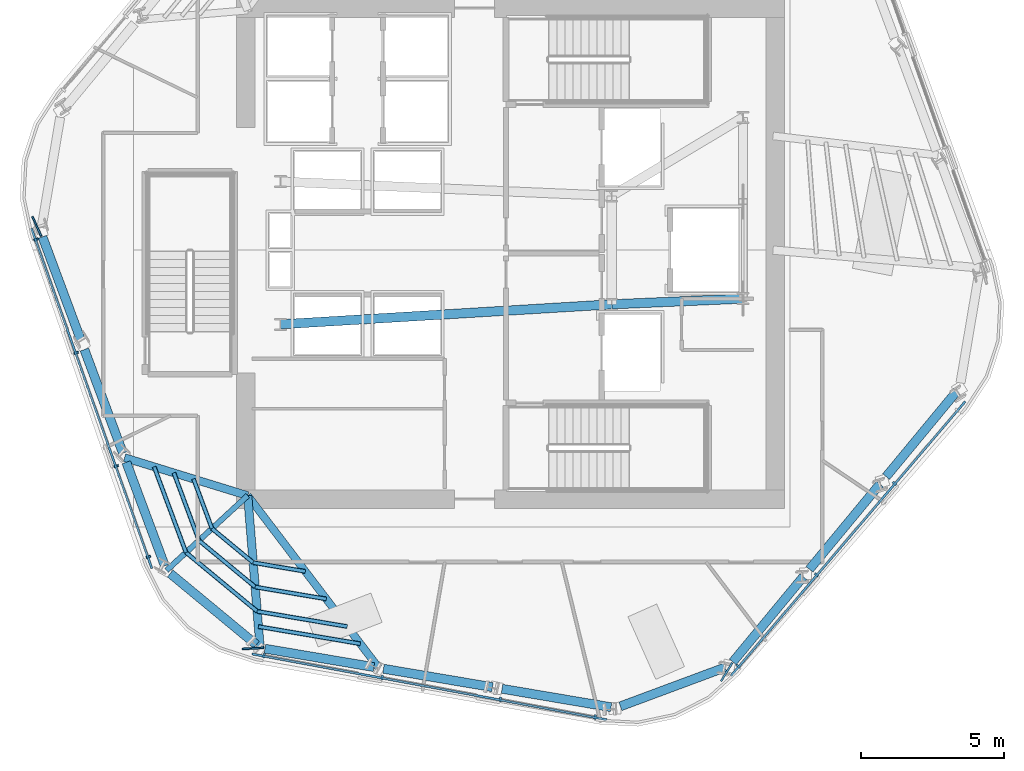
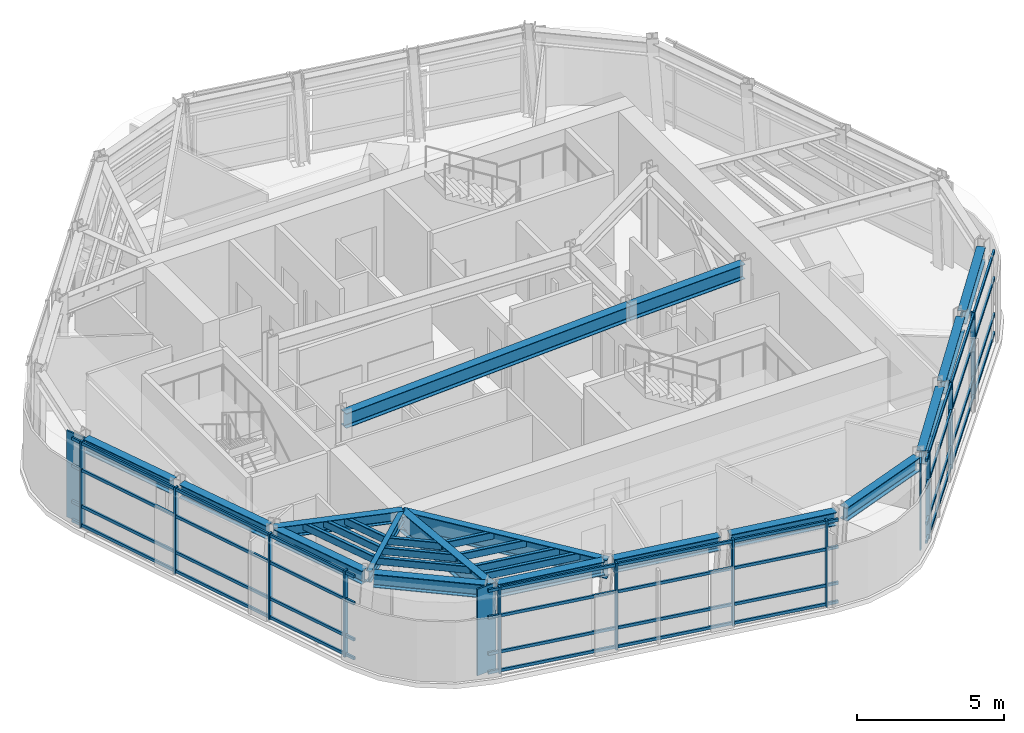
# One storey, part 2 of 12: 36 members, 17 beams, 3 elements without a shape of their own.
"""IFC4 building model written with IfcOpenShell, lengths in metres."""

from ifc_helpers import new_model, si_unit, direction, frame, origin, origin_2d, place, context, subcontext, project, spatial, rectangle, hollow_rectangle, i_section, extrude, material, layer, layer_set, material_profile, profile_set, type_object, element, aggregate, save


model = new_model("IFC4")

# Units and contexts
model_context = context("Model", 3, precision=1e-05, world=origin(), true_north=direction((0.0, 1.0)))
body_context = subcontext(model_context, "Body", "Model", "MODEL_VIEW")
ifc_project = project(units=[si_unit("LENGTHUNIT", "METRE"), si_unit("AREAUNIT", "SQUARE_METRE"), si_unit("VOLUMEUNIT", "CUBIC_METRE"), si_unit("PLANEANGLEUNIT", "RADIAN"), si_unit("MASSUNIT", "GRAM", prefix="KILO")], contexts=[model_context])

# Site, building, storey
site_placement = place(None, origin())
site = spatial("IfcSite", under=ifc_project, at=site_placement, CompositionType="ELEMENT")
building_placement = place(site_placement, origin())
building = spatial("IfcBuilding", under=site, at=building_placement, Name="Valkerne Bourse Tower", CompositionType="ELEMENT")
storey_placement = place(building_placement, frame((0.0, 0.0, 236.0)))
storey = spatial("IfcBuildingStorey", under=building, at=storey_placement, Name="L60", CompositionType="ELEMENT", Elevation=236.0)

# Beams
ifc_material_1 = material(Name="Steel ASTM A992", Category="steel")
ifc_material_profile_1 = material_profile(ifc_material_1, i_section(OverallWidth=0.1904296875, OverallDepth=0.457275390625, WebThickness=0.009033203125, FlangeThickness=0.014404296875, FilletRadius=0.01513671875, at=origin_2d()), Name="W18X50")
ifc_profile_set_1 = profile_set([ifc_material_profile_1], Name="Steel ASTM A992")
beam_type_1 = type_object("IfcBeamType", Name="BM-W18X50", PredefinedType="JOIST", material=ifc_profile_set_1)
beam_1_placement = place(storey_placement, frame((34.7568359375, 15.780517578125, 3.371337890625), z_axis=(0.735468911059, 0.677558470441, 0.0), x_axis=(-0.677558470441, 0.735468911059, 0.0)))
element("IfcBeam", 1, at=beam_1_placement, inside=storey, type_object=beam_type_1, Name="L60 Radial Composite Floor Beam 11", PredefinedType="JOIST", context=body_context, shape_type="SweptSolid", body=[
    extrude(i_section(OverallWidth=0.1904296875, OverallDepth=0.457275390625, WebThickness=0.009033203125, FlangeThickness=0.014404296875, FilletRadius=0.01513671875, at=origin_2d()), origin(), (0.0, 0.0, 1.0), 3.865966796875),
])
ifc_material_profile_2 = material_profile(ifc_material_1, i_section(OverallWidth=0.279296875, OverallDepth=0.46240234375, WebThickness=0.0107421875, FlangeThickness=0.017333984375, FilletRadius=0.017822265625, at=origin_2d()), Name="W18X76")
ifc_profile_set_2 = profile_set([ifc_material_profile_2], Name="Steel ASTM A992")
beam_type_2 = type_object("IfcBeamType", Name="BM-W18X76", PredefinedType="BEAM", material=ifc_profile_set_2)
beam_2_placement = place(storey_placement, frame((33.28857421875, 19.728271484375, 3.368896484375), z_axis=(0.955670128356, -0.294439477258, 0.0), x_axis=(0.294439477258, 0.955670128356, 0.0)))
element("IfcBeam", 2, at=beam_2_placement, inside=storey, type_object=beam_type_2, Name="L60 Radial Composite Floor Beam 10", PredefinedType="BEAM", context=body_context, shape_type="SweptSolid", body=[
    extrude(i_section(OverallWidth=0.279296875, OverallDepth=0.46240234375, WebThickness=0.0107421875, FlangeThickness=0.017333984375, FilletRadius=0.017822265625, at=origin_2d()), origin(), (0.0, 0.0, 1.0), 4.511474609375),
])
ifc_material_profile_3 = material_profile(ifc_material_1, i_section(OverallWidth=0.31494140625, OverallDepth=0.5537109375, WebThickness=0.0166015625, FlangeThickness=0.026123046875, FilletRadius=0.020263671875, at=origin_2d()), Name="W21X132")
ifc_profile_set_3 = profile_set([ifc_material_profile_3], Name="Steel ASTM A992")
beam_type_3 = type_object("IfcBeamType", Name="BM-W21X132", PredefinedType="BEAM", material=ifc_profile_set_3)
beam_3_placement = place(storey_placement, frame((30.41162109375, 27.464599609375, 3.322998046875), z_axis=(0.34850314006, -0.93730761299, 0.0), x_axis=(0.93730761299, 0.34850314006, 0.0)))
element("IfcBeam", 3, at=beam_3_placement, inside=storey, type_object=beam_type_3, Name="L60 Hexagonal Spandrel Ring Beam 08", PredefinedType="BEAM", context=body_context, shape_type="SweptSolid", body=[
    extrude(i_section(OverallWidth=0.31494140625, OverallDepth=0.5537109375, WebThickness=0.0166015625, FlangeThickness=0.026123046875, FilletRadius=0.020263671875, at=origin_2d()), origin(), (0.0, 0.0, 1.0), 3.871826171875),
])
beam_4_placement = place(storey_placement, frame((31.879638671875, 23.516845703125, 3.322998046875), z_axis=(0.348537936296, -0.937294674562, 0.0), x_axis=(0.937294674562, 0.348537936296, 0.0)))
element("IfcBeam", 4, at=beam_4_placement, inside=storey, type_object=beam_type_3, Name="L60 Hexagonal Spandrel Ring Beam 09", PredefinedType="BEAM", context=body_context, shape_type="SweptSolid", body=[
    extrude(i_section(OverallWidth=0.31494140625, OverallDepth=0.5537109375, WebThickness=0.0166015625, FlangeThickness=0.026123046875, FilletRadius=0.020263671875, at=origin_2d()), origin(), (0.0, 0.0, 1.0), 3.872314453125),
])
beam_5_placement = place(storey_placement, frame((33.347900390625, 19.56884765625, 3.322998046875), z_axis=(0.348558534631, -0.937287014706, 0.0), x_axis=(0.937287014706, 0.348558534631, 0.0)))
element("IfcBeam", 5, at=beam_5_placement, inside=storey, type_object=beam_type_3, Name="L60 Hexagonal Spandrel Ring Beam 10", PredefinedType="BEAM", context=body_context, shape_type="SweptSolid", body=[
    extrude(i_section(OverallWidth=0.31494140625, OverallDepth=0.5537109375, WebThickness=0.0166015625, FlangeThickness=0.026123046875, FilletRadius=0.020263671875, at=origin_2d()), origin(), (0.0, 0.0, 1.0), 3.8720703125),
])
beam_6_placement = place(storey_placement, frame((34.8876953125, 15.672119140625, 3.322998046875), z_axis=(0.770495687268, -0.637445210117, 0.0), x_axis=(0.637445210117, 0.770495687268, 0.0)))
element("IfcBeam", 6, at=beam_6_placement, inside=storey, type_object=beam_type_3, Name="L60 Hexagonal Spandrel Ring Beam 11", PredefinedType="BEAM", context=body_context, shape_type="SweptSolid", body=[
    extrude(i_section(OverallWidth=0.31494140625, OverallDepth=0.5537109375, WebThickness=0.0166015625, FlangeThickness=0.026123046875, FilletRadius=0.020263671875, at=origin_2d()), origin(), (0.0, 0.0, 1.0), 3.915771484375),
])
for number, where, z_axis, x_axis, name in (
    (7, (38.203369140625, 13.039306640625, 3.322998046875), (0.985995723124, -0.166770602869, 0.0), (0.166770602869, 0.985995723124, 0.0), "L60 Hexagonal Spandrel Ring Beam 12"),
    (8, (42.3564453125, 12.3369140625, 3.322998046875), (0.985995723124, -0.166770602869, 0.0), (0.166770602869, 0.985995723124, 0.0), "L60 Hexagonal Spandrel Ring Beam 13"),
):
    element("IfcBeam", number, at=place(storey_placement, frame(where, z_axis=z_axis, x_axis=x_axis)), inside=storey, type_object=beam_type_3, Name=name, PredefinedType="BEAM", context=body_context, shape_type="SweptSolid", body=[
        extrude(i_section(OverallWidth=0.31494140625, OverallDepth=0.5537109375, WebThickness=0.0166015625, FlangeThickness=0.026123046875, FilletRadius=0.020263671875, at=origin_2d()), origin(), (0.0, 0.0, 1.0), 3.8720703125),
    ])
beam_7_placement = place(storey_placement, frame((46.509521484375, 11.634521484375, 3.322998046875), z_axis=(0.985993969351, -0.166780971346, 0.0), x_axis=(0.166780971346, 0.985993969351, 0.0)))
element("IfcBeam", 9, at=beam_7_placement, inside=storey, type_object=beam_type_3, Name="L60 Hexagonal Spandrel Ring Beam 14", PredefinedType="BEAM", context=body_context, shape_type="SweptSolid", body=[
    extrude(i_section(OverallWidth=0.31494140625, OverallDepth=0.5537109375, WebThickness=0.0166015625, FlangeThickness=0.026123046875, FilletRadius=0.020263671875, at=origin_2d()), origin(), (0.0, 0.0, 1.0), 3.871826171875),
])
beam_8_placement = place(storey_placement, frame((50.654052734375, 11.019775390625, 3.322998046875), z_axis=(0.937296707827, 0.348532468353, 0.0), x_axis=(-0.348532468353, 0.937296707827, 0.0)))
element("IfcBeam", 10, at=beam_8_placement, inside=storey, type_object=beam_type_3, Name="L60 Hexagonal Spandrel Ring Beam 15", PredefinedType="BEAM", context=body_context, shape_type="SweptSolid", body=[
    extrude(i_section(OverallWidth=0.31494140625, OverallDepth=0.5537109375, WebThickness=0.0166015625, FlangeThickness=0.026123046875, FilletRadius=0.020263671875, at=origin_2d()), origin(), (0.0, 0.0, 1.0), 3.915771484375),
])
for number, where, z_axis, x_axis, name in (
    (11, (54.592041015625, 12.574951171875, 3.322998046875), (0.637414137655, 0.77052139303, 0.0), (-0.77052139303, 0.637414137655, 0.0), "L60 Hexagonal Spandrel Ring Beam 16"),
    (12, (57.27685546875, 15.8203125, 3.322998046875), (0.637414137655, 0.77052139303, 0.0), (-0.77052139303, 0.637414137655, 0.0), "L60 Hexagonal Spandrel Ring Beam 17"),
    (13, (59.961669921875, 19.065673828125, 3.322998046875), (0.637414137655, 0.77052139303, 0.0), (-0.77052139303, 0.637414137655, 0.0), "L60 Hexagonal Spandrel Ring Beam 18"),
):
    element("IfcBeam", number, at=place(storey_placement, frame(where, z_axis=z_axis, x_axis=x_axis)), inside=storey, type_object=beam_type_3, Name=name, PredefinedType="BEAM", context=body_context, shape_type="SweptSolid", body=[
        extrude(i_section(OverallWidth=0.31494140625, OverallDepth=0.5537109375, WebThickness=0.0166015625, FlangeThickness=0.026123046875, FilletRadius=0.020263671875, at=origin_2d()), origin(), (0.0, 0.0, 1.0), 3.871826171875),
    ])
ifc_material_profile_4 = material_profile(ifc_material_1, i_section(OverallWidth=0.3251953125, OverallDepth=0.612060546875, WebThickness=0.0126953125, FlangeThickness=0.01904296875, FilletRadius=0.020263671875, at=origin_2d()), Name="W24X104")
ifc_profile_set_4 = profile_set([ifc_material_profile_4], Name="Steel ASTM A992")
beam_type_4 = type_object("IfcBeamType", Name="BM-W24X104", PredefinedType="BEAM", material=ifc_profile_set_4)
beam_9_placement = place(storey_placement, frame((50.35009765625, 25.10009765625, 3.2939453125), z_axis=(0.999056558506, 0.043428019819, 0.0), x_axis=(-0.043428019819, 0.999056558506, 0.0)))
element("IfcBeam", 14, at=beam_9_placement, inside=storey, type_object=beam_type_4, Name="L60 Core Frame Girder CG-SE", PredefinedType="BEAM", context=body_context, shape_type="SweptSolid", body=[
    extrude(i_section(OverallWidth=0.3251953125, OverallDepth=0.612060546875, WebThickness=0.0126953125, FlangeThickness=0.01904296875, FilletRadius=0.020263671875, at=origin_2d()), origin(), (0.0, 0.0, 1.0), 4.604248046875),
])
beam_10_placement = place(storey_placement, frame((38.75, 24.39990234375, 3.2939453125), z_axis=(0.998183228389, 0.060251494276, 0.0), x_axis=(-0.060251494276, 0.998183228389, 0.0)))
element("IfcBeam", 15, at=beam_10_placement, inside=storey, type_object=beam_type_4, Name="L60 Core Frame Girder CG-SW", PredefinedType="BEAM", context=body_context, shape_type="SweptSolid", body=[
    extrude(i_section(OverallWidth=0.3251953125, OverallDepth=0.612060546875, WebThickness=0.0126953125, FlangeThickness=0.01904296875, FilletRadius=0.020263671875, at=origin_2d()), origin(), (0.0, 0.0, 1.0), 11.62109375),
])
ifc_material_profile_5 = material_profile(ifc_material_1, i_section(OverallWidth=0.26806640625, OverallDepth=0.76953125, WebThickness=0.015625, FlangeThickness=0.025390625, FilletRadius=0.025390625, at=origin_2d()), Name="W30X132")
ifc_profile_set_5 = profile_set([ifc_material_profile_5], Name="Steel ASTM A992")
beam_type_5 = type_object("IfcBeamType", Name="BM-W30X132", PredefinedType="BEAM", material=ifc_profile_set_5)
beam_11_placement = place(storey_placement, frame((42.188720703125, 12.365234375, 3.215087890625), z_axis=(-0.60527350187, 0.796017580166, 0.0), x_axis=(-0.796017580166, -0.60527350187, 0.0)))
element("IfcBeam", 16, at=beam_11_placement, inside=storey, type_object=beam_type_5, Name="L60 Radial Composite Floor Beam 13", PredefinedType="BEAM", context=body_context, shape_type="SweptSolid", body=[
    extrude(i_section(OverallWidth=0.26806640625, OverallDepth=0.76953125, WebThickness=0.015625, FlangeThickness=0.025390625, FilletRadius=0.025390625, at=origin_2d()), origin(), (0.0, 0.0, 1.0), 7.5810546875),
])
ifc_material_profile_6 = material_profile(ifc_material_1, i_section(OverallWidth=0.2919921875, OverallDepth=0.8583984375, WebThickness=0.01708984375, FlangeThickness=0.031005859375, FilletRadius=0.025390625, at=origin_2d()), Name="W33X169")
ifc_profile_set_6 = profile_set([ifc_material_profile_6], Name="Steel ASTM A992")
beam_type_6 = type_object("IfcBeamType", Name="BM-W33X169", PredefinedType="BEAM", material=ifc_profile_set_6)
beam_12_placement = place(storey_placement, frame((38.035888671875, 13.067626953125, 3.170654296875), z_axis=(-0.081455446921, 0.996676983865, 0.0), x_axis=(-0.996676983865, -0.081455446921, 0.0)))
element("IfcBeam", 17, at=beam_12_placement, inside=storey, type_object=beam_type_6, Name="L60 Radial Composite Floor Beam 12", PredefinedType="BEAM", context=body_context, shape_type="SweptSolid", body=[
    extrude(i_section(OverallWidth=0.2919921875, OverallDepth=0.8583984375, WebThickness=0.01708984375, FlangeThickness=0.031005859375, FilletRadius=0.025390625, at=origin_2d()), origin(), (0.0, 0.0, 1.0), 5.35009765625),
])

# Curtain wall, members
ifc_material_2 = material(Name="Aluminium AA 6063-T6", Category="aluminium")
ifc_layer = layer(ifc_material_2, 0.239990234375)
ifc_layer_set = layer_set([ifc_layer], Name="Aluminium AA 6063-T6")
curtain_wall_type = type_object("IfcCurtainWallType", Name="CW-04", PredefinedType="NOTDEFINED", material=ifc_layer_set)
curtain_wall_1_placement = place(storey_placement, origin())
curtain_wall_1 = element("IfcCurtainWall", 18, at=curtain_wall_1_placement, inside=storey, type_object=curtain_wall_type, Name="L60 Hexagonal Stick Curtain Wall Face 3", PredefinedType="NOTDEFINED")
ifc_material_profile_7 = material_profile(ifc_material_2, rectangle(XDim=0.074951171875, YDim=0.159912109375, at=origin_2d()), Name="CWM-75X160")
ifc_profile_set_7 = profile_set([ifc_material_profile_7], Name="Aluminium AA 6063-T6")
member_type_1 = type_object("IfcMemberType", Name="CW-MUL-160X75", PredefinedType="MULLION", material=ifc_profile_set_7)
member_1_placement = place(storey_placement, frame((30.18359375, 27.372802734375, 0.0), z_axis=(0.0, 0.0, 1.0), x_axis=(0.333808466695, -0.942640921859, 0.0)))
member_1 = element("IfcMember", 19, at=member_1_placement, type_object=member_type_1, Name="CW-L60-F3 Jamb Mullion 00A", PredefinedType="MULLION", context=body_context, shape_type="SweptSolid", body=[
    extrude(rectangle(XDim=0.074951171875, YDim=0.159912109375, at=origin_2d()), origin(), (0.0, 0.0, 1.0), 3.60009765625),
])
member_2_placement = place(storey_placement, frame((31.589599609375, 23.40234375, 0.0), z_axis=(0.0, 0.0, 1.0), x_axis=(0.333808466695, -0.942640921859, 0.0)))
member_2 = element("IfcMember", 20, at=member_2_placement, type_object=member_type_1, Name="CW-L60-F3 Jamb Mullion 01A", PredefinedType="MULLION", context=body_context, shape_type="SweptSolid", body=[
    extrude(rectangle(XDim=0.074951171875, YDim=0.159912109375, at=origin_2d()), origin(), (0.0, 0.0, 1.0), 3.60009765625),
])
member_3_placement = place(storey_placement, frame((32.99560546875, 19.431884765625, 0.0), z_axis=(0.0, 0.0, 1.0), x_axis=(0.33380099624, -0.942643567267, 0.0)))
member_3 = element("IfcMember", 21, at=member_3_placement, type_object=member_type_1, Name="CW-L60-F3 Jamb Mullion 02A", PredefinedType="MULLION", context=body_context, shape_type="SweptSolid", body=[
    extrude(rectangle(XDim=0.074951171875, YDim=0.159912109375, at=origin_2d()), origin(), (0.0, 0.0, 1.0), 3.60009765625),
])
member_4_placement = place(storey_placement, frame((34.121337890625, 16.25341796875, 0.0), z_axis=(0.0, 0.0, 1.0), x_axis=(0.33380099624, -0.942643567267, 0.0)))
member_4 = element("IfcMember", 22, at=member_4_placement, type_object=member_type_1, Name="CW-L60-F3 Jamb Mullion 02B", PredefinedType="MULLION", context=body_context, shape_type="SweptSolid", body=[
    extrude(rectangle(XDim=0.074951171875, YDim=0.159912109375, at=origin_2d()), origin(), (0.0, 0.0, 1.0), 3.60009765625),
])

curtain_wall_2_placement = place(storey_placement, origin())
curtain_wall_2 = element("IfcCurtainWall", 23, at=curtain_wall_2_placement, inside=storey, type_object=curtain_wall_type, Name="L60 Hexagonal Stick Curtain Wall Face 4", PredefinedType="NOTDEFINED")
member_5_placement = place(storey_placement, frame((38.1689453125, 12.79638671875, 0.0), z_axis=(0.0, 0.0, 1.0), x_axis=(0.983254127122, -0.182239736328, 0.0)))
member_5 = element("IfcMember", 24, at=member_5_placement, type_object=member_type_1, Name="CW-L60-F4 Jamb Mullion 00A", PredefinedType="MULLION", context=body_context, shape_type="SweptSolid", body=[
    extrude(rectangle(XDim=0.074951171875, YDim=0.159912109375, at=origin_2d()), origin(), (0.0, 0.0, 1.0), 3.60009765625),
])
member_6_placement = place(storey_placement, frame((42.310546875, 12.02880859375, 0.0), z_axis=(0.0, 0.0, 1.0), x_axis=(0.983258381066, -0.182216783154, 0.0)))
member_6 = element("IfcMember", 25, at=member_6_placement, type_object=member_type_1, Name="CW-L60-F4 Jamb Mullion 01A", PredefinedType="MULLION", context=body_context, shape_type="SweptSolid", body=[
    extrude(rectangle(XDim=0.074951171875, YDim=0.159912109375, at=origin_2d()), origin(), (0.0, 0.0, 1.0), 3.60009765625),
])
member_7_placement = place(storey_placement, frame((46.451904296875, 11.26123046875, 0.0), z_axis=(0.0, 0.0, 1.0), x_axis=(0.983254127122, -0.182239736328, 0.0)))
member_7 = element("IfcMember", 26, at=member_7_placement, type_object=member_type_1, Name="CW-L60-F4 Jamb Mullion 02A", PredefinedType="MULLION", context=body_context, shape_type="SweptSolid", body=[
    extrude(rectangle(XDim=0.074951171875, YDim=0.159912109375, at=origin_2d()), origin(), (0.0, 0.0, 1.0), 3.60009765625),
])
member_8_placement = place(storey_placement, frame((49.767578125, 10.646484375, 0.0), z_axis=(0.0, 0.0, 1.0), x_axis=(0.983254127122, -0.182239736328, 0.0)))
member_8 = element("IfcMember", 27, at=member_8_placement, type_object=member_type_1, Name="CW-L60-F4 Jamb Mullion 02B", PredefinedType="MULLION", context=body_context, shape_type="SweptSolid", body=[
    extrude(rectangle(XDim=0.074951171875, YDim=0.159912109375, at=origin_2d()), origin(), (0.0, 0.0, 1.0), 3.60009765625),
])

curtain_wall_3_placement = place(storey_placement, origin())
curtain_wall_3 = element("IfcCurtainWall", 28, at=curtain_wall_3_placement, inside=storey, type_object=curtain_wall_type, Name="L60 Hexagonal Stick Curtain Wall Face 5", PredefinedType="NOTDEFINED")
member_9_placement = place(storey_placement, frame((54.785400390625, 12.423583984375, 0.0), z_axis=(0.0, 0.0, 1.0), x_axis=(0.649454964486, 0.760400058591, 0.0)))
member_9 = element("IfcMember", 29, at=member_9_placement, type_object=member_type_1, Name="CW-L60-F5 Jamb Mullion 00A", PredefinedType="MULLION", context=body_context, shape_type="SweptSolid", body=[
    extrude(rectangle(XDim=0.074951171875, YDim=0.159912109375, at=origin_2d()), origin(), (0.0, 0.0, 1.0), 3.60009765625),
])
member_10_placement = place(storey_placement, frame((57.520751953125, 15.62646484375, 0.0), z_axis=(0.0, 0.0, 1.0), x_axis=(0.649454964486, 0.760400058591, 0.0)))
member_10 = element("IfcMember", 30, at=member_10_placement, type_object=member_type_1, Name="CW-L60-F5 Jamb Mullion 01A", PredefinedType="MULLION", context=body_context, shape_type="SweptSolid", body=[
    extrude(rectangle(XDim=0.074951171875, YDim=0.159912109375, at=origin_2d()), origin(), (0.0, 0.0, 1.0), 3.60009765625),
])
member_11_placement = place(storey_placement, frame((60.25634765625, 18.8291015625, 0.0), z_axis=(0.0, 0.0, 1.0), x_axis=(0.649441236502, 0.760411783398, 0.0)))
member_11 = element("IfcMember", 31, at=member_11_placement, type_object=member_type_1, Name="CW-L60-F5 Jamb Mullion 02A", PredefinedType="MULLION", context=body_context, shape_type="SweptSolid", body=[
    extrude(rectangle(XDim=0.074951171875, YDim=0.159912109375, at=origin_2d()), origin(), (0.0, 0.0, 1.0), 3.60009765625),
])

# Member
ifc_material_profile_8 = material_profile(ifc_material_2, rectangle(XDim=0.074951171875, YDim=0.1201171875, at=origin_2d()), Name="CWT-75X120")
ifc_profile_set_8 = profile_set([ifc_material_profile_8], Name="Aluminium AA 6063-T6")
member_type_2 = type_object("IfcMemberType", Name="CW-TRN-120X75", PredefinedType="USERDEFINED", material=ifc_profile_set_8)
member_12_placement = place(storey_placement, frame((30.024658203125, 27.761962890625, 0.1201171875), z_axis=(0.333805296347, -0.942642044538, 0.0), x_axis=(0.942642044538, 0.333805296347, 0.0)))
member_12 = element("IfcMember", 32, at=member_12_placement, type_object=member_type_2, Name="CW-L60-F3 Continuous Face Transom 1", ObjectType="TRANSOM", PredefinedType="USERDEFINED", context=body_context, shape_type="SweptSolid", body=[
    extrude(rectangle(XDim=0.074951171875, YDim=0.1201171875, at=origin_2d()), origin(), (0.0, 0.0, 1.0), 12.63623046875),
])

member_13_placement = place(storey_placement, frame((30.024658203125, 27.761962890625, 0.89990234375), z_axis=(0.333805296347, -0.942642044538, 0.0), x_axis=(0.942642044538, 0.333805296347, 0.0)))
member_13 = element("IfcMember", 33, at=member_13_placement, type_object=member_type_2, Name="CW-L60-F3 Continuous Face Transom 2", ObjectType="TRANSOM", PredefinedType="USERDEFINED", context=body_context, shape_type="SweptSolid", body=[
    extrude(rectangle(XDim=0.074951171875, YDim=0.1201171875, at=origin_2d()), origin(), (0.0, 0.0, 1.0), 12.63623046875),
])

member_14_placement = place(storey_placement, frame((30.024658203125, 27.761962890625, 2.39990234375), z_axis=(0.333805296347, -0.942642044538, 0.0), x_axis=(0.942642044538, 0.333805296347, 0.0)))
member_14 = element("IfcMember", 34, at=member_14_placement, type_object=member_type_2, Name="CW-L60-F3 Continuous Face Transom 3", ObjectType="TRANSOM", PredefinedType="USERDEFINED", context=body_context, shape_type="SweptSolid", body=[
    extrude(rectangle(XDim=0.074951171875, YDim=0.1201171875, at=origin_2d()), origin(), (0.0, 0.0, 1.0), 12.63623046875),
])

member_15_placement = place(storey_placement, frame((30.024658203125, 27.761962890625, 3.52001953125), z_axis=(0.333805296347, -0.942642044538, 0.0), x_axis=(0.942642044538, 0.333805296347, 0.0)))
member_15 = element("IfcMember", 35, at=member_15_placement, type_object=member_type_2, Name="CW-L60-F3 Continuous Face Transom 4", ObjectType="TRANSOM", PredefinedType="USERDEFINED", context=body_context, shape_type="SweptSolid", body=[
    extrude(rectangle(XDim=0.074951171875, YDim=0.1201171875, at=origin_2d()), origin(), (0.0, 0.0, 1.0), 12.63623046875),
])

aggregate(curtain_wall_1, [member_12, member_13, member_14, member_15, member_1, member_2, member_3, member_4])

member_16_placement = place(storey_placement, frame((37.75244140625, 12.85302734375, 0.1201171875), z_axis=(0.983255216841, -0.182233856777, 0.0), x_axis=(0.182233856777, 0.983255216841, 0.0)))
member_16 = element("IfcMember", 36, at=member_16_placement, type_object=member_type_2, Name="CW-L60-F4 Continuous Face Transom 1", ObjectType="TRANSOM", PredefinedType="USERDEFINED", context=body_context, shape_type="SweptSolid", body=[
    extrude(rectangle(XDim=0.074951171875, YDim=0.1201171875, at=origin_2d()), origin(), (0.0, 0.0, 1.0), 12.63623046875),
])

member_17_placement = place(storey_placement, frame((37.75244140625, 12.85302734375, 0.89990234375), z_axis=(0.983255216841, -0.182233856777, 0.0), x_axis=(0.182233856777, 0.983255216841, 0.0)))
member_17 = element("IfcMember", 37, at=member_17_placement, type_object=member_type_2, Name="CW-L60-F4 Continuous Face Transom 2", ObjectType="TRANSOM", PredefinedType="USERDEFINED", context=body_context, shape_type="SweptSolid", body=[
    extrude(rectangle(XDim=0.074951171875, YDim=0.1201171875, at=origin_2d()), origin(), (0.0, 0.0, 1.0), 12.63623046875),
])

member_18_placement = place(storey_placement, frame((37.75244140625, 12.85302734375, 2.39990234375), z_axis=(0.983255216841, -0.182233856777, 0.0), x_axis=(0.182233856777, 0.983255216841, 0.0)))
member_18 = element("IfcMember", 38, at=member_18_placement, type_object=member_type_2, Name="CW-L60-F4 Continuous Face Transom 3", ObjectType="TRANSOM", PredefinedType="USERDEFINED", context=body_context, shape_type="SweptSolid", body=[
    extrude(rectangle(XDim=0.074951171875, YDim=0.1201171875, at=origin_2d()), origin(), (0.0, 0.0, 1.0), 12.63623046875),
])

member_19_placement = place(storey_placement, frame((37.75244140625, 12.85302734375, 3.52001953125), z_axis=(0.983255216841, -0.182233856777, 0.0), x_axis=(0.182233856777, 0.983255216841, 0.0)))
member_19 = element("IfcMember", 39, at=member_19_placement, type_object=member_type_2, Name="CW-L60-F4 Continuous Face Transom 4", ObjectType="TRANSOM", PredefinedType="USERDEFINED", context=body_context, shape_type="SweptSolid", body=[
    extrude(rectangle(XDim=0.074951171875, YDim=0.1201171875, at=origin_2d()), origin(), (0.0, 0.0, 1.0), 12.63623046875),
])

aggregate(curtain_wall_2, [member_16, member_17, member_18, member_19, member_5, member_6, member_7, member_8])

member_20_placement = place(storey_placement, frame((54.527587890625, 12.09130859375, 0.1201171875), z_axis=(0.649456991751, 0.760398327106, 0.0), x_axis=(-0.760398327106, 0.649456991751, 0.0)))
member_20 = element("IfcMember", 40, at=member_20_placement, type_object=member_type_2, Name="CW-L60-F5 Continuous Face Transom 1", ObjectType="TRANSOM", PredefinedType="USERDEFINED", context=body_context, shape_type="SweptSolid", body=[
    extrude(rectangle(XDim=0.074951171875, YDim=0.1201171875, at=origin_2d()), origin(), (0.0, 0.0, 1.0), 12.635986328125),
])

member_21_placement = place(storey_placement, frame((54.527587890625, 12.09130859375, 0.89990234375), z_axis=(0.649456991751, 0.760398327106, 0.0), x_axis=(-0.760398327106, 0.649456991751, 0.0)))
member_21 = element("IfcMember", 41, at=member_21_placement, type_object=member_type_2, Name="CW-L60-F5 Continuous Face Transom 2", ObjectType="TRANSOM", PredefinedType="USERDEFINED", context=body_context, shape_type="SweptSolid", body=[
    extrude(rectangle(XDim=0.074951171875, YDim=0.1201171875, at=origin_2d()), origin(), (0.0, 0.0, 1.0), 12.635986328125),
])

member_22_placement = place(storey_placement, frame((54.527587890625, 12.09130859375, 2.39990234375), z_axis=(0.649456991751, 0.760398327106, 0.0), x_axis=(-0.760398327106, 0.649456991751, 0.0)))
member_22 = element("IfcMember", 42, at=member_22_placement, type_object=member_type_2, Name="CW-L60-F5 Continuous Face Transom 3", ObjectType="TRANSOM", PredefinedType="USERDEFINED", context=body_context, shape_type="SweptSolid", body=[
    extrude(rectangle(XDim=0.074951171875, YDim=0.1201171875, at=origin_2d()), origin(), (0.0, 0.0, 1.0), 12.635986328125),
])

member_23_placement = place(storey_placement, frame((54.527587890625, 12.09130859375, 3.52001953125), z_axis=(0.649456991751, 0.760398327106, 0.0), x_axis=(-0.760398327106, 0.649456991751, 0.0)))
member_23 = element("IfcMember", 43, at=member_23_placement, type_object=member_type_2, Name="CW-L60-F5 Continuous Face Transom 4", ObjectType="TRANSOM", PredefinedType="USERDEFINED", context=body_context, shape_type="SweptSolid", body=[
    extrude(rectangle(XDim=0.074951171875, YDim=0.1201171875, at=origin_2d()), origin(), (0.0, 0.0, 1.0), 12.635986328125),
])

aggregate(curtain_wall_3, [member_20, member_21, member_22, member_23, member_9, member_10, member_11])

# Members
ifc_material_3 = material(Name="Bronze Anodised Aluminium AA 6063-T6", Category="aluminium")
ifc_material_profile_9 = material_profile(ifc_material_3, rectangle(XDim=0.06494140625, YDim=0.75, at=origin_2d()), Name="FIN-65X750")
ifc_profile_set_9 = profile_set([ifc_material_profile_9], Name="Bronze Anodised Aluminium AA 6063-T6")
member_type_3 = type_object("IfcMemberType", Name="FIN-SOLAR-650", PredefinedType="USERDEFINED", material=ifc_profile_set_9)
for number, where, z_axis, x_axis, name in (
    (44, (30.213134765625, 27.828857421875, 0.00390625), (0.0, 0.0, 1.0), (-0.91231021169, -0.409499789556, 0.0), "L60 Bronze Anodised Solar Fin F3-00"),
    (45, (37.788818359375, 13.0498046875, 0.00390625), (0.0, 0.0, 1.0), (0.056959607642, -0.998376483646, 0.0), "L60 Bronze Anodised Solar Fin F4-00"),
    (46, (54.375732421875, 12.22119140625, 0.00390625), (0.0, 0.0, 1.0), (0.853476663201, -0.521131063525, 0.0), "L60 Bronze Anodised Solar Fin F5-00"),
):
    element("IfcMember", number, at=place(storey_placement, frame(where, z_axis=z_axis, x_axis=x_axis)), inside=storey, type_object=member_type_3, Name=name, ObjectType="SOLAR_FIN", PredefinedType="USERDEFINED", context=body_context, shape_type="SweptSolid", body=[
        extrude(rectangle(XDim=0.06494140625, YDim=0.75, at=origin_2d()), origin(), (0.0, 0.0, 1.0), 3.592041015625),
    ])
ifc_material_4 = material(Name="Steel ASTM A500 Grade C", Category="steel")
ifc_material_profile_10 = material_profile(ifc_material_4, hollow_rectangle(XDim=0.14990234375, YDim=0.300048828125, WallThickness=0.012451171875, OuterFilletRadius=0.02490234375, at=origin_2d()), Name="HSS300X150X12.5")
ifc_profile_set_10 = profile_set([ifc_material_profile_10], Name="Steel ASTM A500 Grade C")
member_type_4 = type_object("IfcMemberType", Name="MBR-HSS300X150X12.5", PredefinedType="PURLIN", material=ifc_profile_set_10)
member_24_placement = place(storey_placement, frame((35.702880859375, 18.984375, 3.43994140625), z_axis=(0.348682584978, -0.937240873486, 0.0), x_axis=(0.937240873486, 0.348682584978, 0.0)))
element("IfcMember", 47, at=member_24_placement, inside=storey, type_object=member_type_4, Name="L60 Secondary Composite Floor Purlin K-10", PredefinedType="PURLIN", context=body_context, shape_type="SweptSolid", body=[
    extrude(hollow_rectangle(XDim=0.14990234375, YDim=0.300048828125, WallThickness=0.012451171875, OuterFilletRadius=0.02490234375, at=origin_2d()), origin(), (0.0, 0.0, 1.0), 1.853271484375),
])
member_25_placement = place(storey_placement, frame((36.34912109375, 17.247314453125, 3.43994140625), z_axis=(0.770471610585, -0.637474311076, 0.0), x_axis=(0.637474311076, 0.770471610585, 0.0)))
element("IfcMember", 48, at=member_25_placement, inside=storey, type_object=member_type_4, Name="L60 Secondary Composite Floor Purlin K-11", PredefinedType="PURLIN", context=body_context, shape_type="SweptSolid", body=[
    extrude(hollow_rectangle(XDim=0.14990234375, YDim=0.300048828125, WallThickness=0.012451171875, OuterFilletRadius=0.02490234375, at=origin_2d()), origin(), (0.0, 0.0, 1.0), 1.872314453125),
])
member_26_placement = place(storey_placement, frame((37.791748046875, 16.0537109375, 3.43994140625), z_axis=(0.985995885186, -0.166769644709, 0.0), x_axis=(0.166769644709, 0.985995885186, 0.0)))
element("IfcMember", 49, at=member_26_placement, inside=storey, type_object=member_type_4, Name="L60 Secondary Composite Floor Purlin K-12", PredefinedType="PURLIN", context=body_context, shape_type="SweptSolid", body=[
    extrude(hollow_rectangle(XDim=0.14990234375, YDim=0.300048828125, WallThickness=0.012451171875, OuterFilletRadius=0.02490234375, at=origin_2d()), origin(), (0.0, 0.0, 1.0), 1.853271484375),
])
member_27_placement = place(storey_placement, frame((34.3232421875, 19.409423828125, 3.43994140625), z_axis=(0.348623093163, -0.937263004131, 0.0), x_axis=(0.937263004131, 0.348623093163, 0.0)))
element("IfcMember", 50, at=member_27_placement, inside=storey, type_object=member_type_4, Name="L60 Secondary Composite Floor Purlin O-10", PredefinedType="PURLIN", context=body_context, shape_type="SweptSolid", body=[
    extrude(hollow_rectangle(XDim=0.14990234375, YDim=0.300048828125, WallThickness=0.012451171875, OuterFilletRadius=0.02490234375, at=origin_2d()), origin(), (0.0, 0.0, 1.0), 3.201171875),
])
member_28_placement = place(storey_placement, frame((35.439208984375, 16.4091796875, 3.43994140625), z_axis=(0.770474860666, -0.637470382906, 0.0), x_axis=(0.637470382906, 0.770474860666, 0.0)))
element("IfcMember", 51, at=member_28_placement, inside=storey, type_object=member_type_4, Name="L60 Secondary Composite Floor Purlin O-11", PredefinedType="PURLIN", context=body_context, shape_type="SweptSolid", body=[
    extrude(hollow_rectangle(XDim=0.14990234375, YDim=0.300048828125, WallThickness=0.012451171875, OuterFilletRadius=0.02490234375, at=origin_2d()), origin(), (0.0, 0.0, 1.0), 3.234375),
])
member_29_placement = place(storey_placement, frame((37.93115234375, 14.347412109375, 3.43994140625), z_axis=(0.986003655139, -0.166723699732, 0.0), x_axis=(0.166723699732, 0.986003655139, 0.0)))
element("IfcMember", 52, at=member_29_placement, inside=storey, type_object=member_type_4, Name="L60 Secondary Composite Floor Purlin O-12", PredefinedType="PURLIN", context=body_context, shape_type="SweptSolid", body=[
    extrude(hollow_rectangle(XDim=0.14990234375, YDim=0.300048828125, WallThickness=0.012451171875, OuterFilletRadius=0.02490234375, at=origin_2d()), origin(), (0.0, 0.0, 1.0), 3.201171875),
])
member_30_placement = place(storey_placement, frame((35.01318359375, 19.197021484375, 3.43994140625), z_axis=(0.34852848283, -0.937298189829, 0.0), x_axis=(0.937298189829, 0.34852848283, 0.0)))
element("IfcMember", 53, at=member_30_placement, inside=storey, type_object=member_type_4, Name="L60 Secondary Composite Floor Purlin Z-10", PredefinedType="PURLIN", context=body_context, shape_type="SweptSolid", body=[
    extrude(hollow_rectangle(XDim=0.14990234375, YDim=0.300048828125, WallThickness=0.012451171875, OuterFilletRadius=0.02490234375, at=origin_2d()), origin(), (0.0, 0.0, 1.0), 2.52734375),
])
member_31_placement = place(storey_placement, frame((35.89404296875, 16.828125, 3.43994140625), z_axis=(0.770559478735, -0.637368095948, 0.0), x_axis=(0.637368095948, 0.770559478735, 0.0)))
element("IfcMember", 54, at=member_31_placement, inside=storey, type_object=member_type_4, Name="L60 Secondary Composite Floor Purlin Z-11", PredefinedType="PURLIN", context=body_context, shape_type="SweptSolid", body=[
    extrude(hollow_rectangle(XDim=0.14990234375, YDim=0.300048828125, WallThickness=0.012451171875, OuterFilletRadius=0.02490234375, at=origin_2d()), origin(), (0.0, 0.0, 1.0), 2.553466796875),
])
member_32_placement = place(storey_placement, frame((37.861572265625, 15.20068359375, 3.43994140625), z_axis=(0.985999463277, -0.166748488499, 0.0), x_axis=(0.166748488499, 0.985999463277, 0.0)))
element("IfcMember", 55, at=member_32_placement, inside=storey, type_object=member_type_4, Name="L60 Secondary Composite Floor Purlin Z-12", PredefinedType="PURLIN", context=body_context, shape_type="SweptSolid", body=[
    extrude(hollow_rectangle(XDim=0.14990234375, YDim=0.300048828125, WallThickness=0.012451171875, OuterFilletRadius=0.02490234375, at=origin_2d()), origin(), (0.0, 0.0, 1.0), 2.527099609375),
])
member_33_placement = place(storey_placement, frame((37.974853515625, 13.814208984375, 3.43994140625), z_axis=(0.985999474135, -0.166748424295, 0.0), x_axis=(0.166748424295, 0.985999474135, 0.0)))
element("IfcMember", 56, at=member_33_placement, inside=storey, type_object=member_type_4, Name="L60 Secondary Composite Floor Purlin T-12", PredefinedType="PURLIN", context=body_context, shape_type="SweptSolid", body=[
    extrude(hollow_rectangle(XDim=0.14990234375, YDim=0.300048828125, WallThickness=0.012451171875, OuterFilletRadius=0.02490234375, at=origin_2d()), origin(), (0.0, 0.0, 1.0), 3.622314453125),
])

save(model, "model.ifc")
